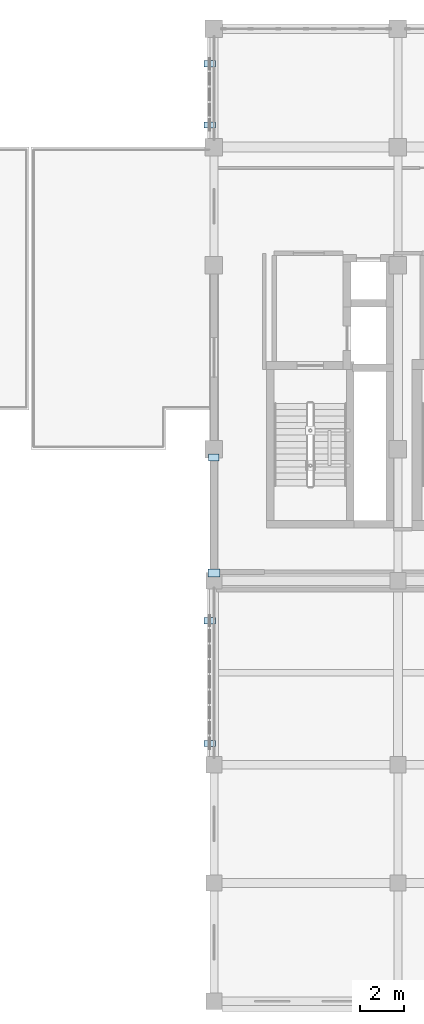
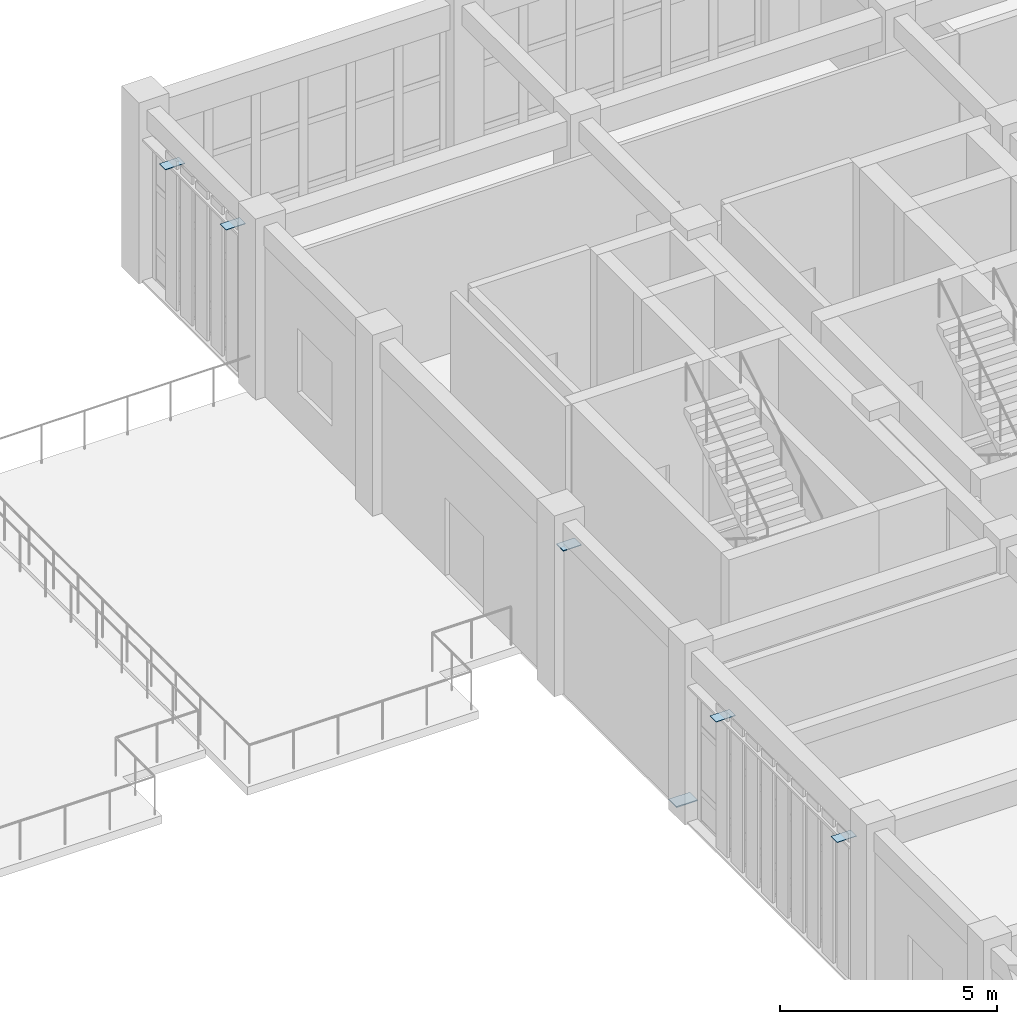
# One storey, part 69 of 93: 6 plates.
"""IFC4 building model written with IfcOpenShell, lengths in metres."""

import ifcopenshell
import ifcopenshell.guid

model = None  # the IFC model being written
_history = None  # IfcOwnerHistory: only IFC2X3 demands one
_inside = {}  # id of a spatial element -> (the spatial element, [elements in it])
_under = {}  # id of a project, library or spatial element -> (it, [spatial elements below it])
_declared = {}  # id of a project -> (the project, [libraries it declares])
_typed = {}  # id of a type object -> (the type object, [elements of that type])
_made_of = {}  # id of a material, layer set ... -> (it, [elements and type objects made of it])


def new_model(schema):
    """Start an empty IFC model of exactly this schema.

    Asked for "IFC4X3", IfcOpenShell would pick the latest addendum, in which some entities
    have other attributes; the version numbers below select the first issue.
    IFC2X3 requires an IfcOwnerHistory on every rooted entity: one is made here for all.
    """
    global model, _history
    if schema == "IFC4X3":
        model = ifcopenshell.file(schema_version=(4, 3, 0, 0))
    else:
        model = ifcopenshell.file(schema=schema)
    _inside.clear()
    _under.clear()
    _declared.clear()
    _typed.clear()
    _made_of.clear()
    _history = None
    if model.schema == "IFC2X3":
        org = make("IfcOrganization", Name="unknown")
        user = make(
            "IfcPersonAndOrganization",
            ThePerson=make("IfcPerson", FamilyName="unknown"),
            TheOrganization=org,
        )
        app = make(
            "IfcApplication",
            ApplicationDeveloper=org,
            Version="unknown",
            ApplicationFullName="unknown",
            ApplicationIdentifier="unknown",
        )
        _history = make(
            "IfcOwnerHistory",
            OwningUser=user,
            OwningApplication=app,
            ChangeAction="ADDED",
            CreationDate=0,
        )
    return model


def make(cls, **values):
    """One entity of the class cls with the attributes given. An attribute that is None is left unset."""
    return model.create_entity(
        cls, **{name: value for name, value in values.items() if value is not None}
    )


def rooted(cls, **values):
    """An entity with a GlobalId (a new one), such as an element, a storey or a relation."""
    return make(cls, GlobalId=ifcopenshell.guid.new(), OwnerHistory=_history, **values)


def si_unit(unit_type, name, prefix=None):
    """IfcSIUnit, for example si_unit("LENGTHUNIT", "METRE", prefix="MILLI")."""
    return make("IfcSIUnit", UnitType=unit_type, Prefix=prefix, Name=name)


def assignment(units):
    """IfcUnitAssignment: the units of a project."""
    return None if units is None else make("IfcUnitAssignment", Units=units)


def point(xyz):
    """IfcCartesianPoint."""
    return None if xyz is None else make("IfcCartesianPoint", Coordinates=xyz)


def direction(xyz):
    """IfcDirection."""
    return None if xyz is None else make("IfcDirection", DirectionRatios=xyz)


def frame(location, z_axis=None, x_axis=None):
    """IfcAxis2Placement3D, a coordinate frame: its origin and axes. An axis left out is left unset."""
    return make(
        "IfcAxis2Placement3D",
        Location=point(location),
        Axis=direction(z_axis),
        RefDirection=direction(x_axis),
    )


def frame_2d(location, x_axis=None):
    """IfcAxis2Placement2D, a coordinate frame in the plane: its origin and x axis."""
    return make(
        "IfcAxis2Placement2D", Location=point(location), RefDirection=direction(x_axis)
    )


def origin():
    """The frame at (0, 0, 0) with its axes left unset."""
    return frame((0.0, 0.0, 0.0))


def origin_2d():
    """The frame at (0, 0) in the plane with its x axis left unset."""
    return frame_2d((0.0, 0.0))


def place(relative_to, where):
    """IfcLocalPlacement: puts the frame where relative to a parent placement (None: the world)."""
    return make(
        "IfcLocalPlacement", PlacementRelTo=relative_to, RelativePlacement=where
    )


def context(
    kind, dimensions, precision=None, world=None, true_north=None, identifier=None
):
    """IfcGeometricRepresentationContext, for example the 3D "Model" context."""
    return make(
        "IfcGeometricRepresentationContext",
        ContextIdentifier=identifier,
        ContextType=kind,
        CoordinateSpaceDimension=dimensions,
        Precision=precision,
        WorldCoordinateSystem=world,
        TrueNorth=true_north,
    )


def subcontext(parent, identifier, kind, view, scale=None):
    """IfcGeometricRepresentationSubContext, for example "Body" below "Model"."""
    return make(
        "IfcGeometricRepresentationSubContext",
        ContextIdentifier=identifier,
        ContextType=kind,
        ParentContext=parent,
        TargetScale=scale,
        TargetView=view,
    )


def project(units=None, contexts=None):
    """IfcProject with its units and contexts."""
    return rooted(
        "IfcProject",
        Name="project",
        RepresentationContexts=contexts,
        UnitsInContext=assignment(units),
    )


def spatial(cls, under=None, at=None, **own):
    """A site, building, storey or space (cls), placed at a placement, below another one or the project."""
    s = rooted(cls, ObjectPlacement=at, **own)
    if under is not None:
        _under.setdefault(under.id(), (under, []))[1].append(s)
    return s


def profile(cls, at=None, kind="AREA", **sizes):
    """A parametric profile (cls). Its sizes go by their IFC names, for example OverallWidth=200.0."""
    return make(cls, ProfileType=kind, Position=at, **sizes)


def rectangle(**sizes):
    """IfcRectangleProfileDef."""
    return profile("IfcRectangleProfileDef", **sizes)


def extrude(swept, where, along, depth):
    """IfcExtrudedAreaSolid: the profile swept, set in the frame where, extruded along a direction by depth."""
    return make(
        "IfcExtrudedAreaSolid",
        SweptArea=swept,
        Position=where,
        ExtrudedDirection=direction(along),
        Depth=depth,
    )


def shape(context_of_items, identifier, shape_type, items):
    """IfcShapeRepresentation: the items that make up one representation, for example the "Body"."""
    return make(
        "IfcShapeRepresentation",
        ContextOfItems=context_of_items,
        RepresentationIdentifier=identifier,
        RepresentationType=shape_type,
        Items=items,
    )


def material(Name=None, Category=None):
    """IfcMaterial."""
    return make("IfcMaterial", Name=Name, Category=Category)


def layer(
    of_material, thickness, ventilated=None, Name=None, Category=None, Priority=None
):
    """IfcMaterialLayer: one layer of a wall or slab, of a material (None: an air gap)."""
    return make(
        "IfcMaterialLayer",
        Material=of_material,
        LayerThickness=thickness,
        IsVentilated=ventilated,
        Name=Name,
        Category=Category,
        Priority=Priority,
    )


def layer_set(layers, Name=None):
    """IfcMaterialLayerSet."""
    return make("IfcMaterialLayerSet", MaterialLayers=layers, LayerSetName=Name)


def made_of(thing, what):
    """Note that an element or type object is made of a material, layer set ...; save() writes the relation."""
    if what is not None:
        _made_of.setdefault(what.id(), (what, []))[1].append(thing)
    return thing


def type_object(cls, material=None, **own):
    """A type object (cls), such as IfcWallType, which elements share."""
    return made_of(rooted(cls, **own), material)


def element(
    cls,
    number,
    at=None,
    inside=None,
    cuts=None,
    type_object=None,
    material=None,
    context=None,
    identifier="Body",
    shape_type=None,
    held_by="IfcProductDefinitionShape",
    body=None,
    shapes=None,
    **own,
):
    """One element of the class cls, such as IfcWall. Its Tag is "e" and its number.

    at: its placement. inside: the storey or other place that contains it. cuts: it is an
    opening in that element (IfcRelVoidsElement). A single representation is given by context,
    identifier, shape_type and body (its items); several are given by shapes. held_by: the class
    of the entity that holds the representations. save() writes the other relations.
    """
    e = rooted(cls, Tag="e%d" % number, ObjectPlacement=at, **own)
    if body is not None:
        shapes = [shape(context, identifier, shape_type, body)]
    if shapes is not None:
        e.Representation = make(held_by, Representations=shapes)
    if inside is not None:
        _inside.setdefault(inside.id(), (inside, []))[1].append(e)
    if cuts is not None:
        rooted(
            "IfcRelVoidsElement", RelatingBuildingElement=cuts, RelatedOpeningElement=e
        )
    if type_object is not None:
        _typed.setdefault(type_object.id(), (type_object, []))[1].append(e)
    return made_of(e, material)


def aggregate(whole, parts):
    """IfcRelAggregates: a whole, such as a stair, and the parts it consists of."""
    return rooted("IfcRelAggregates", RelatingObject=whole, RelatedObjects=parts)


def save(model, path):
    """Write the relations noted so far, then the file.

    IfcRelAggregates (storeys below a building ...), IfcRelContainedInSpatialStructure (elements
    in a storey), IfcRelDefinesByType, IfcRelAssociatesMaterial and IfcRelDeclares: one each for
    every whole, place, type object, material and project.
    """
    for whole, parts in _under.values():
        aggregate(whole, parts)
    for where, things in _inside.values():
        rooted(
            "IfcRelContainedInSpatialStructure",
            RelatedElements=things,
            RelatingStructure=where,
        )
    for kind, things in _typed.values():
        rooted("IfcRelDefinesByType", RelatedObjects=things, RelatingType=kind)
    for what, things in _made_of.values():
        rooted("IfcRelAssociatesMaterial", RelatedObjects=things, RelatingMaterial=what)
    for by, libraries in _declared.values():
        rooted("IfcRelDeclares", RelatingContext=by, RelatedDefinitions=libraries)
    model.write(path)


model = new_model("IFC4")

# Units and contexts
model_context = context("Model", 3, precision=1e-05, world=origin(), true_north=direction((0.0, 1.0)))
body_context = subcontext(model_context, "Body", "Model", "MODEL_VIEW")
ifc_project = project(units=[si_unit("LENGTHUNIT", "METRE"), si_unit("AREAUNIT", "SQUARE_METRE"), si_unit("VOLUMEUNIT", "CUBIC_METRE"), si_unit("PLANEANGLEUNIT", "RADIAN"), si_unit("MASSUNIT", "GRAM", prefix="KILO")], contexts=[model_context])

# Site, building, storey
site_placement = place(None, origin())
site = spatial("IfcSite", under=ifc_project, at=site_placement, CompositionType="ELEMENT")
building_placement = place(site_placement, origin())
building = spatial("IfcBuilding", under=site, at=building_placement, Name="Krzemoval Escarpment Law Courts", CompositionType="ELEMENT")
storey_placement = place(building_placement, frame((0.0, 0.0, 10.199951171875)))
storey = spatial("IfcBuildingStorey", under=building, at=storey_placement, Name="L02", CompositionType="ELEMENT", Elevation=10.199951171875)

# Plates
ifc_material_1 = material(Name="Anodised Aluminium Alloy 6063-T6", Category="aluminium")
ifc_layer_1 = layer(ifc_material_1, 0.01611328125)
ifc_layer_set_1 = layer_set([ifc_layer_1], Name="Anodised Aluminium Alloy 6063-T6")
plate_type_1 = type_object("IfcPlateType", Name="PLT-FIN-16", PredefinedType="USERDEFINED", material=ifc_layer_set_1)
for number, where, z_axis, x_axis, name in (
    (1, (125.800048828125, 86.175048828125, 3.89208984375), (0.0, 0.0, 1.0), (-1.0, 0.0, 0.0), "Sunshade Fin Blade FN-L02-0590"),
    (2, (125.800048828125, 91.77490234375, 3.89208984375), (0.0, 0.0, 1.0), (-1.0, 0.0, 0.0), "Sunshade Fin Blade FN-L02-0598"),
    (3, (125.800048828125, 114.39990234375, 4.0419921875), (0.0, 0.0, 1.0), (-1.0, 0.0, 0.0), "Sunshade Fin Blade FN-L02-0601"),
    (4, (125.800048828125, 117.199951171875, 4.0419921875), (0.0, 0.0, 1.0), (-1.0, 0.0, 0.0), "Sunshade Fin Blade FN-L02-0605"),
):
    element("IfcPlate", number, at=place(storey_placement, frame(where, z_axis=z_axis, x_axis=x_axis)), inside=storey, type_object=plate_type_1, Name=name, ObjectType="SUNSHADE_FIN", PredefinedType="USERDEFINED", context=body_context, shape_type="SweptSolid", body=[
        extrude(rectangle(XDim=0.52001953125, YDim=0.280029296875, at=origin_2d()), origin(), (0.0, 0.0, 1.0), 0.01611328125),
    ])
ifc_material_2 = material(Name="Steel S355", Category="steel")
ifc_layer_2 = layer(ifc_material_2, 0.02001953125)
ifc_layer_set_2 = layer_set([ifc_layer_2], Name="Steel S355")
plate_type_2 = type_object("IfcPlateType", Name="PLT-GUS-20", PredefinedType="USERDEFINED", material=ifc_layer_set_2)
plate_1_placement = place(storey_placement, frame((126.0, 99.22509765625, 4.130126953125), z_axis=(0.0, 0.0, 1.0), x_axis=(1.0, 0.0, 0.0)))
element("IfcPlate", 5, at=plate_1_placement, inside=storey, type_object=plate_type_2, Name="Gusset and End-Cap Plate ECP-0267", ObjectType="GUSSET_PLATE", PredefinedType="USERDEFINED", context=body_context, shape_type="SweptSolid", body=[
    extrude(rectangle(XDim=0.47998046875, YDim=0.320068359375, at=origin_2d()), origin(), (0.0, 0.0, 1.0), 0.02001953125),
])
ifc_material_3 = material(Name="Steel S355", Category="steel")
ifc_layer_3 = layer(ifc_material_3, 0.030029296875)
ifc_layer_set_3 = layer_set([ifc_layer_3], Name="Steel S355")
plate_type_3 = type_object("IfcPlateType", Name="PLT-GUS-30", PredefinedType="USERDEFINED", material=ifc_layer_set_3)
plate_2_placement = place(storey_placement, frame((126.0, 93.949951171875, 0.125), z_axis=(0.0, 0.0, 1.0), x_axis=(1.0, 0.0, 0.0)))
element("IfcPlate", 6, at=plate_2_placement, inside=storey, type_object=plate_type_3, Name="Gusset and End-Cap Plate ECP-0266", ObjectType="GUSSET_PLATE", PredefinedType="USERDEFINED", context=body_context, shape_type="SweptSolid", body=[
    extrude(rectangle(XDim=0.56005859375, YDim=0.360107421875, at=origin_2d()), origin(), (0.0, 0.0, 1.0), 0.030029296875),
])

save(model, "model.ifc")
